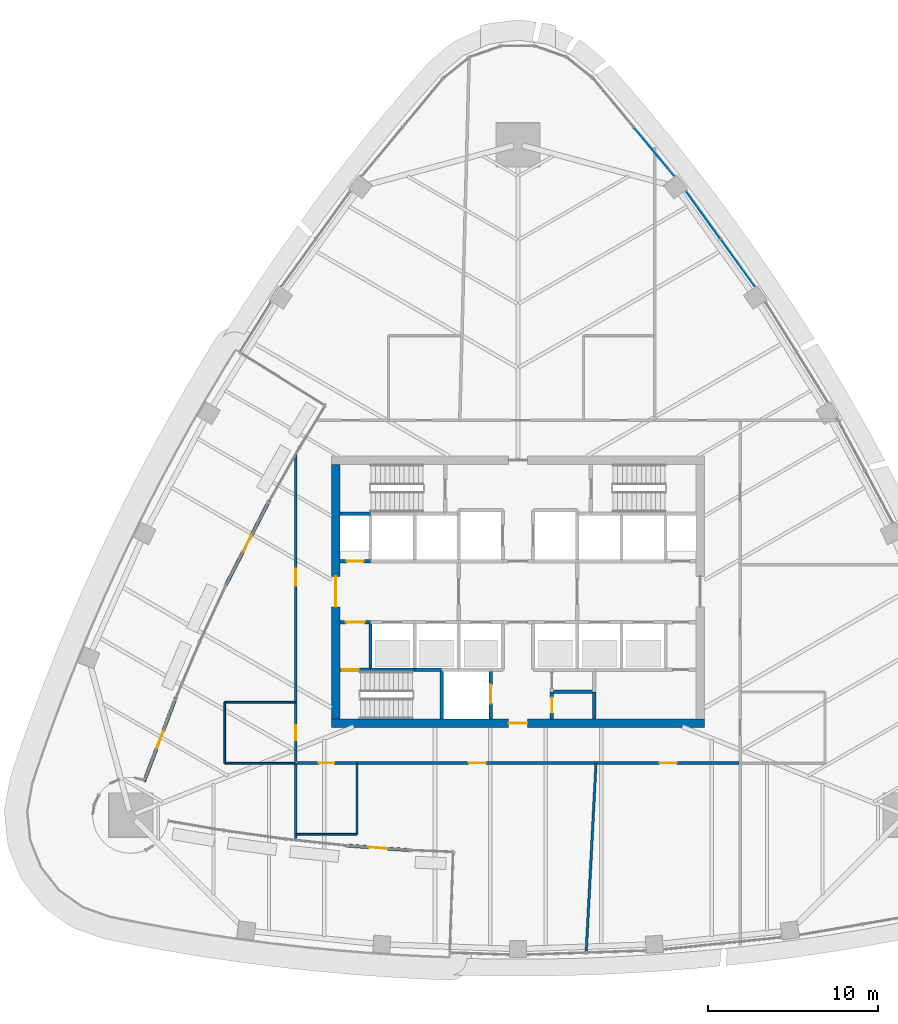
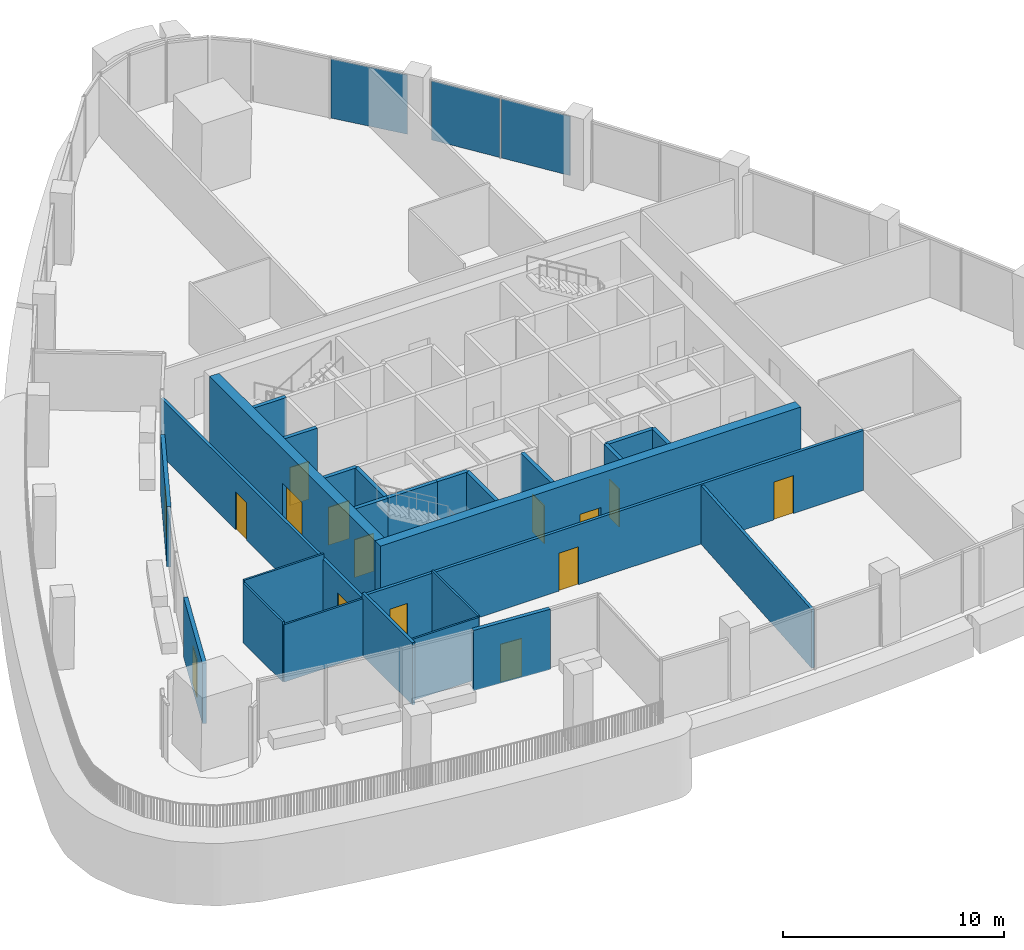
# One storey, part 9 of 18: 26 walls, 15 doors, 3 plates, 15 openings, 2 elements without a shape of their own.
"""IFC4 building model written with IfcOpenShell, lengths in metres."""

import ifcopenshell
import ifcopenshell.guid

model = None  # the IFC model being written
_history = None  # IfcOwnerHistory: only IFC2X3 demands one
_inside = {}  # id of a spatial element -> (the spatial element, [elements in it])
_under = {}  # id of a project, library or spatial element -> (it, [spatial elements below it])
_declared = {}  # id of a project -> (the project, [libraries it declares])
_typed = {}  # id of a type object -> (the type object, [elements of that type])
_made_of = {}  # id of a material, layer set ... -> (it, [elements and type objects made of it])


def new_model(schema):
    """Start an empty IFC model of exactly this schema.

    Asked for "IFC4X3", IfcOpenShell would pick the latest addendum, in which some entities
    have other attributes; the version numbers below select the first issue.
    IFC2X3 requires an IfcOwnerHistory on every rooted entity: one is made here for all.
    """
    global model, _history
    if schema == "IFC4X3":
        model = ifcopenshell.file(schema_version=(4, 3, 0, 0))
    else:
        model = ifcopenshell.file(schema=schema)
    _inside.clear()
    _under.clear()
    _declared.clear()
    _typed.clear()
    _made_of.clear()
    _history = None
    if model.schema == "IFC2X3":
        org = make("IfcOrganization", Name="unknown")
        user = make(
            "IfcPersonAndOrganization",
            ThePerson=make("IfcPerson", FamilyName="unknown"),
            TheOrganization=org,
        )
        app = make(
            "IfcApplication",
            ApplicationDeveloper=org,
            Version="unknown",
            ApplicationFullName="unknown",
            ApplicationIdentifier="unknown",
        )
        _history = make(
            "IfcOwnerHistory",
            OwningUser=user,
            OwningApplication=app,
            ChangeAction="ADDED",
            CreationDate=0,
        )
    return model


def make(cls, **values):
    """One entity of the class cls with the attributes given. An attribute that is None is left unset."""
    return model.create_entity(
        cls, **{name: value for name, value in values.items() if value is not None}
    )


def rooted(cls, **values):
    """An entity with a GlobalId (a new one), such as an element, a storey or a relation."""
    return make(cls, GlobalId=ifcopenshell.guid.new(), OwnerHistory=_history, **values)


def si_unit(unit_type, name, prefix=None):
    """IfcSIUnit, for example si_unit("LENGTHUNIT", "METRE", prefix="MILLI")."""
    return make("IfcSIUnit", UnitType=unit_type, Prefix=prefix, Name=name)


def assignment(units):
    """IfcUnitAssignment: the units of a project."""
    return None if units is None else make("IfcUnitAssignment", Units=units)


def point(xyz):
    """IfcCartesianPoint."""
    return None if xyz is None else make("IfcCartesianPoint", Coordinates=xyz)


def direction(xyz):
    """IfcDirection."""
    return None if xyz is None else make("IfcDirection", DirectionRatios=xyz)


def frame(location, z_axis=None, x_axis=None):
    """IfcAxis2Placement3D, a coordinate frame: its origin and axes. An axis left out is left unset."""
    return make(
        "IfcAxis2Placement3D",
        Location=point(location),
        Axis=direction(z_axis),
        RefDirection=direction(x_axis),
    )


def frame_2d(location, x_axis=None):
    """IfcAxis2Placement2D, a coordinate frame in the plane: its origin and x axis."""
    return make(
        "IfcAxis2Placement2D", Location=point(location), RefDirection=direction(x_axis)
    )


def origin():
    """The frame at (0, 0, 0) with its axes left unset."""
    return frame((0.0, 0.0, 0.0))


def origin_2d():
    """The frame at (0, 0) in the plane with its x axis left unset."""
    return frame_2d((0.0, 0.0))


def place(relative_to, where):
    """IfcLocalPlacement: puts the frame where relative to a parent placement (None: the world)."""
    return make(
        "IfcLocalPlacement", PlacementRelTo=relative_to, RelativePlacement=where
    )


def context(
    kind, dimensions, precision=None, world=None, true_north=None, identifier=None
):
    """IfcGeometricRepresentationContext, for example the 3D "Model" context."""
    return make(
        "IfcGeometricRepresentationContext",
        ContextIdentifier=identifier,
        ContextType=kind,
        CoordinateSpaceDimension=dimensions,
        Precision=precision,
        WorldCoordinateSystem=world,
        TrueNorth=true_north,
    )


def subcontext(parent, identifier, kind, view, scale=None):
    """IfcGeometricRepresentationSubContext, for example "Body" below "Model"."""
    return make(
        "IfcGeometricRepresentationSubContext",
        ContextIdentifier=identifier,
        ContextType=kind,
        ParentContext=parent,
        TargetScale=scale,
        TargetView=view,
    )


def project(units=None, contexts=None):
    """IfcProject with its units and contexts."""
    return rooted(
        "IfcProject",
        Name="project",
        RepresentationContexts=contexts,
        UnitsInContext=assignment(units),
    )


def spatial(cls, under=None, at=None, **own):
    """A site, building, storey or space (cls), placed at a placement, below another one or the project."""
    s = rooted(cls, ObjectPlacement=at, **own)
    if under is not None:
        _under.setdefault(under.id(), (under, []))[1].append(s)
    return s


def profile(cls, at=None, kind="AREA", **sizes):
    """A parametric profile (cls). Its sizes go by their IFC names, for example OverallWidth=200.0."""
    return make(cls, ProfileType=kind, Position=at, **sizes)


def rectangle(**sizes):
    """IfcRectangleProfileDef."""
    return profile("IfcRectangleProfileDef", **sizes)


def extrude(swept, where, along, depth):
    """IfcExtrudedAreaSolid: the profile swept, set in the frame where, extruded along a direction by depth."""
    return make(
        "IfcExtrudedAreaSolid",
        SweptArea=swept,
        Position=where,
        ExtrudedDirection=direction(along),
        Depth=depth,
    )


def shape(context_of_items, identifier, shape_type, items):
    """IfcShapeRepresentation: the items that make up one representation, for example the "Body"."""
    return make(
        "IfcShapeRepresentation",
        ContextOfItems=context_of_items,
        RepresentationIdentifier=identifier,
        RepresentationType=shape_type,
        Items=items,
    )


def material(Name=None, Category=None):
    """IfcMaterial."""
    return make("IfcMaterial", Name=Name, Category=Category)


def layer(
    of_material, thickness, ventilated=None, Name=None, Category=None, Priority=None
):
    """IfcMaterialLayer: one layer of a wall or slab, of a material (None: an air gap)."""
    return make(
        "IfcMaterialLayer",
        Material=of_material,
        LayerThickness=thickness,
        IsVentilated=ventilated,
        Name=Name,
        Category=Category,
        Priority=Priority,
    )


def layer_set(layers, Name=None):
    """IfcMaterialLayerSet."""
    return make("IfcMaterialLayerSet", MaterialLayers=layers, LayerSetName=Name)


def made_of(thing, what):
    """Note that an element or type object is made of a material, layer set ...; save() writes the relation."""
    if what is not None:
        _made_of.setdefault(what.id(), (what, []))[1].append(thing)
    return thing


def type_object(cls, material=None, **own):
    """A type object (cls), such as IfcWallType, which elements share."""
    return made_of(rooted(cls, **own), material)


def element(
    cls,
    number,
    at=None,
    inside=None,
    cuts=None,
    type_object=None,
    material=None,
    context=None,
    identifier="Body",
    shape_type=None,
    held_by="IfcProductDefinitionShape",
    body=None,
    shapes=None,
    **own,
):
    """One element of the class cls, such as IfcWall. Its Tag is "e" and its number.

    at: its placement. inside: the storey or other place that contains it. cuts: it is an
    opening in that element (IfcRelVoidsElement). A single representation is given by context,
    identifier, shape_type and body (its items); several are given by shapes. held_by: the class
    of the entity that holds the representations. save() writes the other relations.
    """
    e = rooted(cls, Tag="e%d" % number, ObjectPlacement=at, **own)
    if body is not None:
        shapes = [shape(context, identifier, shape_type, body)]
    if shapes is not None:
        e.Representation = make(held_by, Representations=shapes)
    if inside is not None:
        _inside.setdefault(inside.id(), (inside, []))[1].append(e)
    if cuts is not None:
        rooted(
            "IfcRelVoidsElement", RelatingBuildingElement=cuts, RelatedOpeningElement=e
        )
    if type_object is not None:
        _typed.setdefault(type_object.id(), (type_object, []))[1].append(e)
    return made_of(e, material)


def fill(opening, filler):
    """IfcRelFillsElement: the door or window that sits in an opening."""
    return rooted(
        "IfcRelFillsElement",
        RelatingOpeningElement=opening,
        RelatedBuildingElement=filler,
    )


def aggregate(whole, parts):
    """IfcRelAggregates: a whole, such as a stair, and the parts it consists of."""
    return rooted("IfcRelAggregates", RelatingObject=whole, RelatedObjects=parts)


def save(model, path):
    """Write the relations noted so far, then the file.

    IfcRelAggregates (storeys below a building ...), IfcRelContainedInSpatialStructure (elements
    in a storey), IfcRelDefinesByType, IfcRelAssociatesMaterial and IfcRelDeclares: one each for
    every whole, place, type object, material and project.
    """
    for whole, parts in _under.values():
        aggregate(whole, parts)
    for where, things in _inside.values():
        rooted(
            "IfcRelContainedInSpatialStructure",
            RelatedElements=things,
            RelatingStructure=where,
        )
    for kind, things in _typed.values():
        rooted("IfcRelDefinesByType", RelatedObjects=things, RelatingType=kind)
    for what, things in _made_of.values():
        rooted("IfcRelAssociatesMaterial", RelatedObjects=things, RelatingMaterial=what)
    for by, libraries in _declared.values():
        rooted("IfcRelDeclares", RelatingContext=by, RelatedDefinitions=libraries)
    model.write(path)


model = new_model("IFC4")

# Units and contexts
model_context = context("Model", 3, precision=1e-05, world=origin(), true_north=direction((0.0, 1.0)))
body_context = subcontext(model_context, "Body", "Model", "MODEL_VIEW")
ifc_project = project(units=[si_unit("LENGTHUNIT", "METRE"), si_unit("AREAUNIT", "SQUARE_METRE"), si_unit("VOLUMEUNIT", "CUBIC_METRE"), si_unit("PLANEANGLEUNIT", "RADIAN"), si_unit("MASSUNIT", "GRAM", prefix="KILO")], contexts=[model_context])

# Site, building, storey
site_placement = place(None, origin())
site = spatial("IfcSite", under=ifc_project, at=site_placement, CompositionType="ELEMENT")
building_placement = place(site_placement, origin())
building = spatial("IfcBuilding", under=site, at=building_placement, Name="Sierra Prisma Convention Tower", CompositionType="ELEMENT")
storey_placement = place(building_placement, frame((0.0, 0.0, 205.800048828125)))
storey = spatial("IfcBuildingStorey", under=building, at=storey_placement, Name="L46", CompositionType="ELEMENT", Elevation=205.800048828125)

# Curtain wall, plates
ifc_material_1 = material(Name="Aluminium and glass curtain wall", Category="aluminium")
ifc_layer_1 = layer(ifc_material_1, 0.179931640625)
ifc_layer_set_1 = layer_set([ifc_layer_1], Name="CW-1 Plain shaft curtain wall")
curtain_wall_type = type_object("IfcCurtainWallType", Name="CW-1 Plain shaft curtain wall", PredefinedType="NOTDEFINED", material=ifc_layer_set_1)
curtain_wall_1_placement = place(storey_placement, origin())
curtain_wall_1 = element("IfcCurtainWall", 1, at=curtain_wall_1_placement, inside=storey, type_object=curtain_wall_type, Name="CW-1 NE5 L46", PredefinedType="NOTDEFINED")
ifc_material_2 = material(Name="Tinted glass bronze-grey IGU", Category="glass")
ifc_layer_2 = layer(ifc_material_2, 0.028076171875)
ifc_layer_set_2 = layer_set([ifc_layer_2], Name="CW-1 glass panel")
plate_type = type_object("IfcPlateType", Name="CW-1 glass panel", PredefinedType="CURTAIN_PANEL", material=ifc_layer_set_2)
plate_1_placement = place(storey_placement, frame((12.950927734375, 19.40087890625, 0.0), z_axis=(0.0, 0.0, 1.0), x_axis=(-0.585459833404, 0.810701414499, 0.0)))
plate_1 = element("IfcPlate", 2, at=plate_1_placement, type_object=plate_type, Name="CW-1 panel NE5.1", PredefinedType="CURTAIN_PANEL", context=body_context, shape_type="SweptSolid", body=[
    extrude(rectangle(XDim=3.407958984375, YDim=0.028076171875, at=origin_2d()), origin(), (0.0, 0.0, 1.0), 3.280029296875),
])
plate_2_placement = place(storey_placement, frame((10.914794921875, 22.220458984375, 0.0), z_axis=(0.0, 0.0, 1.0), x_axis=(-0.585459833404, 0.810701414499, 0.0)))
plate_2 = element("IfcPlate", 3, at=plate_2_placement, type_object=plate_type, Name="CW-1 panel NE5.2", PredefinedType="CURTAIN_PANEL", context=body_context, shape_type="SweptSolid", body=[
    extrude(rectangle(XDim=3.407958984375, YDim=0.028076171875, at=origin_2d()), origin(), (0.0, 0.0, 1.0), 3.280029296875),
])
aggregate(curtain_wall_1, [plate_1, plate_2])

# Curtain wall, plate
curtain_wall_2_placement = place(storey_placement, origin())
curtain_wall_2 = element("IfcCurtainWall", 4, at=curtain_wall_2_placement, inside=storey, type_object=curtain_wall_type, Name="CW-1 NE6 L46", PredefinedType="NOTDEFINED")
plate_3_placement = place(storey_placement, frame((8.0185546875, 25.951904296875, 0.0), z_axis=(0.0, 0.0, 1.0), x_axis=(-0.639114249263, 0.76911181007, 0.0)))
plate_3 = element("IfcPlate", 5, at=plate_3_placement, type_object=plate_type, Name="CW-1 panel NE6.1", PredefinedType="CURTAIN_PANEL", context=body_context, shape_type="SweptSolid", body=[
    extrude(rectangle(XDim=3.67919921875, YDim=0.028076171875, at=origin_2d()), origin(), (0.0, 0.0, 1.0), 3.280029296875),
])
aggregate(curtain_wall_2, [plate_3])

# Walls
ifc_material_3 = material(Name="Gypsum board partition", Category="gypsum")
ifc_layer_3 = layer(ifc_material_3, 0.10009765625)
ifc_layer_set_3 = layer_set([ifc_layer_3], Name="Bathroom partition 100")
wall_type_1 = type_object("IfcWallType", Name="Bathroom partition 100", PredefinedType="PARTITIONING", material=ifc_layer_set_3)
wall_1_placement = place(storey_placement, frame((-13.1298828125, -10.1201171875, 0.0), z_axis=(0.0, 0.0, 1.0), x_axis=(-1.0, 0.0, 0.0)))
element("IfcWall", 6, at=wall_1_placement, inside=storey, type_object=wall_type_1, Name="Partition L46 bath 1", PredefinedType="PARTITIONING", context=body_context, shape_type="SweptSolid", body=[
    extrude(rectangle(XDim=4.170166015625, YDim=0.10009765625, at=frame_2d((2.0849609375, 0.0))), origin(), (0.0, 0.0, 1.0), 3.166015625),
])
wall_2_placement = place(storey_placement, frame((-17.300048828125, -10.1201171875, 0.0), z_axis=(0.0, 0.0, 1.0), x_axis=(0.0, 1.0, 0.0)))
element("IfcWall", 7, at=wall_2_placement, inside=storey, type_object=wall_type_1, Name="Partition L46 bath 2", PredefinedType="PARTITIONING", context=body_context, shape_type="SweptSolid", body=[
    extrude(rectangle(XDim=3.60009765625, YDim=0.10009765625, at=frame_2d((1.800048828125, 0.0))), origin(), (0.0, 0.0, 1.0), 3.31689453125),
])
for number, where, z_axis, x_axis, name in (
    (8, (-17.300048828125, -6.52001953125, 0.0), (0.0, 0.0, 1.0), (1.0, 0.0, 0.0), "Partition L46 bath 3"),
    (9, (-9.5, -10.1298828125, 0.0), (0.0, 0.0, 1.0), (0.0, -1.0, 0.0), "Partition L46 bath 4"),
):
    element("IfcWall", number, at=place(storey_placement, frame(where, z_axis=z_axis, x_axis=x_axis)), inside=storey, type_object=wall_type_1, Name=name, PredefinedType="PARTITIONING", context=body_context, shape_type="SweptSolid", body=[
        extrude(rectangle(XDim=4.170166015625, YDim=0.10009765625, at=frame_2d((2.0849609375, 0.0))), origin(), (0.0, 0.0, 1.0), 3.449951171875),
    ])
wall_3_placement = place(storey_placement, frame((-9.5, -14.300048828125, 0.0), z_axis=(0.0, 0.0, 1.0), x_axis=(-1.0, 0.0, 0.0)))
element("IfcWall", 10, at=wall_3_placement, inside=storey, type_object=wall_type_1, Name="Partition L46 bath 5", PredefinedType="PARTITIONING", context=body_context, shape_type="SweptSolid", body=[
    extrude(rectangle(XDim=3.570068359375, YDim=0.10009765625, at=frame_2d((1.78515625, 0.0))), origin(), (0.0, 0.0, 1.0), 3.39306640625),
])

# Wall, opening, door
ifc_material_4 = material(Name="Concrete C30/37", Category="concrete")
ifc_layer_4 = layer(ifc_material_4, 0.199951171875)
ifc_layer_set_4 = layer_set([ifc_layer_4], Name="Core wall RC 200 C30/37")
wall_type_2 = type_object("IfcWallType", Name="Core wall RC 200 C30/37", PredefinedType="SOLIDWALL", material=ifc_layer_set_4)
wall_4_placement = place(storey_placement, frame((-10.5, -4.60009765625, 0.0), z_axis=(0.0, 0.0, 1.0), x_axis=(1.0, 0.0, 0.0)))
wall_4 = element("IfcWall", 11, at=wall_4_placement, inside=storey, type_object=wall_type_2, Name="Core wall L46 1", PredefinedType="SOLIDWALL", context=body_context, shape_type="SweptSolid", body=[
    extrude(rectangle(XDim=1.800048828125, YDim=0.199951171875, at=frame_2d((0.89990234375, 0.0))), origin(), (0.0, 0.0, 1.0), 3.849853515625),
])
opening_1_placement = place(wall_4_placement, frame((0.10009765625, 0.0, 0.0)))
opening_1 = element("IfcOpeningElement", 12, at=opening_1_placement, cuts=wall_4, Name="Opening L46-D020", PredefinedType="OPENING", context=body_context, shape_type="SweptSolid", body=[
    extrude(rectangle(XDim=1.0, YDim=2.10009765625, at=frame_2d((0.5, 1.050048828125))), frame((0.0, 0.10009765625, 0.0), z_axis=(0.0, -1.0, 0.0), x_axis=(1.0, 0.0, 0.0)), (0.0, 0.0, 1.0), 0.199951171875),
])
ifc_material_5 = material(Name="Steel fire door leaf", Category="steel")
door_type_1 = type_object("IfcDoorType", Name="Door 1000x2100 FD90S", OperationType="SINGLE_SWING_LEFT", PredefinedType="DOOR", material=ifc_material_5)
door_1_placement = place(opening_1_placement, origin())
door_1 = element("IfcDoor", 13, at=door_1_placement, inside=storey, type_object=door_type_1, Name="Door L46 30", OperationType="SINGLE_SWING_LEFT", OverallHeight=2.10009765625, OverallWidth=1.0, PredefinedType="DOOR", context=body_context, shape_type="SweptSolid", body=[
    extrude(rectangle(XDim=1.0, YDim=2.10009765625, at=frame_2d((0.5, 1.050048828125))), frame((0.0, 0.02490234375, 0.0), z_axis=(0.0, -1.0, 0.0), x_axis=(1.0, 0.0, 0.0)), (0.0, 0.0, 1.0), 0.050048828125),
])
fill(opening_1, door_1)

wall_5_placement = place(storey_placement, frame((-10.5, -1.800048828125, 0.0), z_axis=(0.0, 0.0, 1.0), x_axis=(1.0, 0.0, 0.0)))
wall_5 = element("IfcWall", 14, at=wall_5_placement, inside=storey, type_object=wall_type_2, Name="Core wall L46 2", PredefinedType="SOLIDWALL", context=body_context, shape_type="SweptSolid", body=[
    extrude(rectangle(XDim=1.800048828125, YDim=0.199951171875, at=frame_2d((0.89990234375, 0.0))), origin(), (0.0, 0.0, 1.0), 3.849853515625),
])
opening_2_placement = place(wall_5_placement, frame((0.35009765625, 0.0, 0.0)))
opening_2 = element("IfcOpeningElement", 15, at=opening_2_placement, cuts=wall_5, Name="Opening L46-D015", PredefinedType="OPENING", context=body_context, shape_type="SweptSolid", body=[
    extrude(rectangle(XDim=1.10009765625, YDim=2.10009765625, at=frame_2d((0.550048828125, 1.050048828125))), frame((0.0, 0.10009765625, 0.0), z_axis=(0.0, -1.0, 0.0), x_axis=(1.0, 0.0, 0.0)), (0.0, 0.0, 1.0), 0.199951171875),
])
ifc_material_6 = material(Name="Steel fire door leaf", Category="steel")
door_type_2 = type_object("IfcDoorType", Name="Door 1100x2100 FD90S", OperationType="SINGLE_SWING_LEFT", PredefinedType="DOOR", material=ifc_material_6)
door_2_placement = place(opening_2_placement, origin())
door_2 = element("IfcDoor", 16, at=door_2_placement, inside=storey, type_object=door_type_2, Name="Door L46 25", OperationType="SINGLE_SWING_RIGHT", OverallHeight=2.10009765625, OverallWidth=1.10009765625, PredefinedType="DOOR", context=body_context, shape_type="SweptSolid", body=[
    extrude(rectangle(XDim=1.10009765625, YDim=2.10009765625, at=frame_2d((0.550048828125, 1.050048828125))), frame((0.0, 0.02490234375, 0.0), z_axis=(0.0, -1.0, 0.0), x_axis=(1.0, 0.0, 0.0)), (0.0, 0.0, 1.0), 0.050048828125),
])
fill(opening_2, door_2)

wall_6_placement = place(storey_placement, frame((-8.699951171875, 1.800048828125, 0.0), z_axis=(0.0, 0.0, 1.0), x_axis=(-1.0, 0.0, 0.0)))
wall_6 = element("IfcWall", 17, at=wall_6_placement, inside=storey, type_object=wall_type_2, Name="Core wall L46 3", PredefinedType="SOLIDWALL", context=body_context, shape_type="SweptSolid", body=[
    extrude(rectangle(XDim=1.800048828125, YDim=0.199951171875, at=frame_2d((0.89990234375, 0.0))), origin(), (0.0, 0.0, 1.0), 3.849853515625),
])
opening_3_placement = place(wall_6_placement, frame((0.39990234375, 0.0, 0.0)))
opening_3 = element("IfcOpeningElement", 18, at=opening_3_placement, cuts=wall_6, Name="Opening L46-D018", PredefinedType="OPENING", context=body_context, shape_type="SweptSolid", body=[
    extrude(rectangle(XDim=1.0, YDim=2.10009765625, at=frame_2d((0.5, 1.050048828125))), frame((0.0, 0.10009765625, 0.0), z_axis=(0.0, -1.0, 0.0), x_axis=(1.0, 0.0, 0.0)), (0.0, 0.0, 1.0), 0.199951171875),
])
ifc_material_7 = material(Name="Steel fire door leaf", Category="steel")
door_type_3 = type_object("IfcDoorType", Name="Door 1000x2100 FD60S", OperationType="SINGLE_SWING_LEFT", PredefinedType="DOOR", material=ifc_material_7)
door_3_placement = place(opening_3_placement, origin())
door_3 = element("IfcDoor", 19, at=door_3_placement, inside=storey, type_object=door_type_3, Name="Door L46 28", OperationType="SINGLE_SWING_RIGHT", OverallHeight=2.10009765625, OverallWidth=1.0, PredefinedType="DOOR", context=body_context, shape_type="SweptSolid", body=[
    extrude(rectangle(XDim=1.0, YDim=2.10009765625, at=frame_2d((0.5, 1.050048828125))), frame((0.0, 0.02490234375, 0.0), z_axis=(0.0, -1.0, 0.0), x_axis=(1.0, 0.0, 0.0)), (0.0, 0.0, 1.0), 0.050048828125),
])
fill(opening_3, door_3)

# Walls
wall_7_placement = place(storey_placement, frame((-8.699951171875, 4.60009765625, 0.0), z_axis=(0.0, 0.0, 1.0), x_axis=(-1.0, 0.0, 0.0)))
element("IfcWall", 20, at=wall_7_placement, inside=storey, type_object=wall_type_2, Name="Core wall L46 4", PredefinedType="SOLIDWALL", context=body_context, shape_type="SweptSolid", body=[
    extrude(rectangle(XDim=1.800048828125, YDim=0.199951171875, at=frame_2d((0.89990234375, 0.0))), origin(), (0.0, 0.0, 1.0), 3.849853515625),
])
wall_8_placement = place(storey_placement, frame((-8.699951171875, -4.60009765625, 0.0), z_axis=(0.0, 0.0, 1.0), x_axis=(1.0, 0.0, 0.0)))
element("IfcWall", 21, at=wall_8_placement, inside=storey, type_object=wall_type_2, Name="Core wall L46 5", PredefinedType="SOLIDWALL", context=body_context, shape_type="SweptSolid", body=[
    extrude(rectangle(XDim=2.599853515625, YDim=0.199951171875, at=frame_2d((1.2998046875, 0.0))), origin(), (0.0, 0.0, 1.0), 3.849853515625),
])
wall_9_placement = place(storey_placement, frame((-8.699951171875, -4.60009765625, 0.0), z_axis=(0.0, 0.0, 1.0), x_axis=(0.0, 1.0, 0.0)))
element("IfcWall", 22, at=wall_9_placement, inside=storey, type_object=wall_type_2, Name="Core wall L46 6", PredefinedType="SOLIDWALL", context=body_context, shape_type="SweptSolid", body=[
    extrude(rectangle(XDim=2.800048828125, YDim=0.199951171875, at=frame_2d((1.39990234375, 0.0))), origin(), (0.0, 0.0, 1.0), 3.849853515625),
])
wall_10_placement = place(storey_placement, frame((-6.10009765625, -4.60009765625, 0.0), z_axis=(0.0, 0.0, 1.0), x_axis=(1.0, 0.0, 0.0)))
element("IfcWall", 23, at=wall_10_placement, inside=storey, type_object=wall_type_2, Name="Core wall L46 11", PredefinedType="SOLIDWALL", context=body_context, shape_type="SweptSolid", body=[
    extrude(rectangle(XDim=1.60009765625, YDim=0.199951171875, at=frame_2d((0.800048828125, 0.0))), origin(), (0.0, 0.0, 1.0), 3.849853515625),
])
wall_11_placement = place(storey_placement, frame((-4.5, -4.60009765625, 0.0), z_axis=(0.0, 0.0, 1.0), x_axis=(0.0, -1.0, 0.0)))
element("IfcWall", 24, at=wall_11_placement, inside=storey, type_object=wall_type_2, Name="Core wall L46 17", PredefinedType="SOLIDWALL", context=body_context, shape_type="SweptSolid", body=[
    extrude(rectangle(XDim=2.89990234375, YDim=0.199951171875, at=frame_2d((1.449951171875, 0.0))), origin(), (0.0, 0.0, 1.0), 3.849853515625),
])

# Wall, opening, door
wall_12_placement = place(storey_placement, frame((-1.60009765625, -7.5, 0.0), z_axis=(0.0, 0.0, 1.0), x_axis=(0.0, 1.0, 0.0)))
wall_12 = element("IfcWall", 25, at=wall_12_placement, inside=storey, type_object=wall_type_2, Name="Core wall L46 30", PredefinedType="SOLIDWALL", context=body_context, shape_type="SweptSolid", body=[
    extrude(rectangle(XDim=2.89990234375, YDim=0.199951171875, at=frame_2d((1.449951171875, 0.0))), origin(), (0.0, 0.0, 1.0), 3.849853515625),
])
opening_4_placement = place(wall_12_placement, frame((0.89990234375, 0.0, 0.0)))
opening_4 = element("IfcOpeningElement", 26, at=opening_4_placement, cuts=wall_12, Name="Opening L46-D012", PredefinedType="OPENING", context=body_context, shape_type="SweptSolid", body=[
    extrude(rectangle(XDim=1.10009765625, YDim=2.10009765625, at=frame_2d((0.550048828125, 1.050048828125))), frame((0.0, 0.10009765625, 0.0), z_axis=(0.0, -1.0, 0.0), x_axis=(1.0, 0.0, 0.0)), (0.0, 0.0, 1.0), 0.199951171875),
])
ifc_material_8 = material(Name="Steel fire door leaf", Category="steel")
door_type_4 = type_object("IfcDoorType", Name="Door 1100x2100 EI 90 sliding lift landing", OperationType="SLIDING_TO_LEFT", PredefinedType="DOOR", material=ifc_material_8)
door_4_placement = place(opening_4_placement, origin())
door_4 = element("IfcDoor", 27, at=door_4_placement, inside=storey, type_object=door_type_4, Name="Door L46 22", OperationType="SLIDING_TO_LEFT", OverallHeight=2.10009765625, OverallWidth=1.10009765625, PredefinedType="DOOR", context=body_context, shape_type="SweptSolid", body=[
    extrude(rectangle(XDim=1.10009765625, YDim=2.10009765625, at=frame_2d((0.550048828125, 1.050048828125))), frame((0.0, 0.02490234375, 0.0), z_axis=(0.0, -1.0, 0.0), x_axis=(1.0, 0.0, 0.0)), (0.0, 0.0, 1.0), 0.050048828125),
])
fill(opening_4, door_4)

wall_13_placement = place(storey_placement, frame((2.0, -5.89990234375, 0.0), z_axis=(0.0, 0.0, 1.0), x_axis=(0.0, -1.0, 0.0)))
wall_13 = element("IfcWall", 28, at=wall_13_placement, inside=storey, type_object=wall_type_2, Name="Core wall L46 42", PredefinedType="SOLIDWALL", context=body_context, shape_type="SweptSolid", body=[
    extrude(rectangle(XDim=1.60009765625, YDim=0.199951171875, at=frame_2d((0.800048828125, 0.0))), origin(), (0.0, 0.0, 1.0), 3.849853515625),
])
opening_5_placement = place(wall_13_placement, frame((0.35009765625, 0.0, 0.0)))
opening_5 = element("IfcOpeningElement", 29, at=opening_5_placement, cuts=wall_13, Name="Opening L46-D025", PredefinedType="OPENING", context=body_context, shape_type="SweptSolid", body=[
    extrude(rectangle(XDim=0.89990234375, YDim=2.10009765625, at=frame_2d((0.449951171875, 1.050048828125))), frame((0.0, 0.10009765625, 0.0), z_axis=(0.0, -1.0, 0.0), x_axis=(1.0, 0.0, 0.0)), (0.0, 0.0, 1.0), 0.199951171875),
])
ifc_material_9 = material(Name="Steel fire door leaf", Category="steel")
door_type_5 = type_object("IfcDoorType", Name="Door 900x2100 FD30S", OperationType="SINGLE_SWING_LEFT", PredefinedType="DOOR", material=ifc_material_9)
door_5_placement = place(opening_5_placement, origin())
door_5 = element("IfcDoor", 30, at=door_5_placement, inside=storey, type_object=door_type_5, Name="Door L46 35", OperationType="SINGLE_SWING_LEFT", OverallHeight=2.10009765625, OverallWidth=0.89990234375, PredefinedType="DOOR", context=body_context, shape_type="SweptSolid", body=[
    extrude(rectangle(XDim=0.89990234375, YDim=2.10009765625, at=frame_2d((0.449951171875, 1.050048828125))), frame((0.0, 0.02490234375, 0.0), z_axis=(0.0, -1.0, 0.0), x_axis=(1.0, 0.0, 0.0)), (0.0, 0.0, 1.0), 0.050048828125),
])
fill(opening_5, door_5)

# Walls
wall_14_placement = place(storey_placement, frame((4.5, -5.89990234375, 0.0), z_axis=(0.0, 0.0, 1.0), x_axis=(-1.0, 0.0, 0.0)))
element("IfcWall", 31, at=wall_14_placement, inside=storey, type_object=wall_type_2, Name="Core wall L46 43", PredefinedType="SOLIDWALL", context=body_context, shape_type="SweptSolid", body=[
    extrude(rectangle(XDim=2.5, YDim=0.199951171875, at=frame_2d((1.25, 0.0))), origin(), (0.0, 0.0, 1.0), 3.849853515625),
])
wall_15_placement = place(storey_placement, frame((4.5, -5.89990234375, 0.0), z_axis=(0.0, 0.0, 1.0), x_axis=(0.0, -1.0, 0.0)))
element("IfcWall", 32, at=wall_15_placement, inside=storey, type_object=wall_type_2, Name="Core wall L46 55", PredefinedType="SOLIDWALL", context=body_context, shape_type="SweptSolid", body=[
    extrude(rectangle(XDim=1.60009765625, YDim=0.199951171875, at=frame_2d((0.800048828125, 0.0))), origin(), (0.0, 0.0, 1.0), 3.849853515625),
])

# Wall, opening, door
ifc_material_10 = material(Name="Concrete C60/75", Category="concrete")
ifc_layer_5 = layer(ifc_material_10, 0.5)
ifc_layer_set_5 = layer_set([ifc_layer_5], Name="Core wall RC 500 C60/75")
wall_type_3 = type_object("IfcWallType", Name="Core wall RC 500 C60/75", PredefinedType="SHEAR", material=ifc_layer_set_5)
wall_16_placement = place(storey_placement, frame((-11.0, -7.75, 0.0), z_axis=(0.0, 0.0, 1.0), x_axis=(1.0, 0.0, 0.0)))
wall_16 = element("IfcWall", 33, at=wall_16_placement, inside=storey, type_object=wall_type_3, Name="Core wall S L46", PredefinedType="SHEAR", context=body_context, shape_type="SweptSolid", body=[
    extrude(rectangle(XDim=22.0, YDim=0.5, at=frame_2d((11.0, 0.0))), origin(), (0.0, 0.0, 1.0), 4.0),
])
opening_6_placement = place(wall_16_placement, frame((10.449951171875, 0.0, 0.0)))
opening_6 = element("IfcOpeningElement", 34, at=opening_6_placement, cuts=wall_16, Name="Opening L46-D042", PredefinedType="OPENING", context=body_context, shape_type="SweptSolid", body=[
    extrude(rectangle(XDim=1.10009765625, YDim=2.10009765625, at=frame_2d((0.550048828125, 1.050048828125))), frame((0.0, 0.25, 0.0), z_axis=(0.0, -1.0, 0.0), x_axis=(1.0, 0.0, 0.0)), (0.0, 0.0, 1.0), 0.5),
])
ifc_material_11 = material(Name="Steel fire door leaf", Category="steel")
door_type_6 = type_object("IfcDoorType", Name="Door 1100x2100 FD30S", OperationType="SINGLE_SWING_LEFT", PredefinedType="DOOR", material=ifc_material_11)
door_6_placement = place(opening_6_placement, origin())
door_6 = element("IfcDoor", 35, at=door_6_placement, inside=storey, type_object=door_type_6, Name="Door L46 40", OperationType="SINGLE_SWING_RIGHT", OverallHeight=2.10009765625, OverallWidth=1.10009765625, PredefinedType="DOOR", context=body_context, shape_type="SweptSolid", body=[
    extrude(rectangle(XDim=1.10009765625, YDim=2.10009765625, at=frame_2d((0.550048828125, 1.050048828125))), frame((0.0, 0.02490234375, 0.0), z_axis=(0.0, -1.0, 0.0), x_axis=(1.0, 0.0, 0.0)), (0.0, 0.0, 1.0), 0.050048828125),
])
fill(opening_6, door_6)

wall_17_placement = place(storey_placement, frame((-10.75, -7.5, 0.0), z_axis=(0.0, 0.0, 1.0), x_axis=(0.0, 1.0, 0.0)))
wall_17 = element("IfcWall", 36, at=wall_17_placement, inside=storey, type_object=wall_type_3, Name="Core wall W L46", PredefinedType="SHEAR", context=body_context, shape_type="SweptSolid", body=[
    extrude(rectangle(XDim=15.0, YDim=0.5, at=frame_2d((7.5, 0.0))), origin(), (0.0, 0.0, 1.0), 4.0),
])
opening_7_placement = place(wall_17_placement, frame((6.60009765625, 0.0, 0.0)))
opening_7 = element("IfcOpeningElement", 37, at=opening_7_placement, cuts=wall_17, Name="Opening L46-D043", PredefinedType="OPENING", context=body_context, shape_type="SweptSolid", body=[
    extrude(rectangle(XDim=1.800048828125, YDim=2.10009765625, at=frame_2d((0.89990234375, 1.050048828125))), frame((0.0, 0.25, 0.0), z_axis=(0.0, -1.0, 0.0), x_axis=(1.0, 0.0, 0.0)), (0.0, 0.0, 1.0), 0.5),
])
ifc_material_12 = material(Name="Steel fire door leaf", Category="steel")
door_type_7 = type_object("IfcDoorType", Name="Door 1800x2100 FD60S", OperationType="DOUBLE_DOOR_SINGLE_SWING", PredefinedType="DOOR", material=ifc_material_12)
door_7_placement = place(opening_7_placement, origin())
door_7 = element("IfcDoor", 38, at=door_7_placement, inside=storey, type_object=door_type_7, Name="Door L46 37", OperationType="DOUBLE_DOOR_SINGLE_SWING", OverallHeight=2.10009765625, OverallWidth=1.800048828125, PredefinedType="DOOR", context=body_context, shape_type="SweptSolid", body=[
    extrude(rectangle(XDim=1.800048828125, YDim=2.10009765625, at=frame_2d((0.89990234375, 1.050048828125))), frame((0.0, 0.02490234375, 0.0), z_axis=(0.0, -1.0, 0.0), x_axis=(1.0, 0.0, 0.0)), (0.0, 0.0, 1.0), 0.050048828125),
])
fill(opening_7, door_7)

# Wall, openings, doors
ifc_material_13 = material(Name="Gypsum board partition", Category="gypsum")
ifc_layer_6 = layer(ifc_material_13, 0.14990234375)
ifc_layer_set_6 = layer_set([ifc_layer_6], Name="Corridor wall 150 gypsum EI 60")
wall_type_4 = type_object("IfcWallType", Name="Corridor wall 150 gypsum EI 60", PredefinedType="PARTITIONING", material=ifc_layer_set_6)
wall_18_placement = place(storey_placement, frame((-13.10009765625, 8.14501953125, 0.0), z_axis=(0.0, 0.0, 1.0), x_axis=(0.0, -1.0, 0.0)))
wall_18 = element("IfcWall", 39, at=wall_18_placement, inside=storey, type_object=wall_type_4, Name="Partition L46 corr 1", PredefinedType="PARTITIONING", context=body_context, shape_type="SweptSolid", body=[
    extrude(rectangle(XDim=18.1650390625, YDim=0.14990234375, at=frame_2d((9.08251953125, 0.0))), origin(), (0.0, 0.0, 1.0), 3.166015625),
])
opening_8_placement = place(wall_18_placement, frame((16.01513671875, 0.0, 0.0)))
opening_8 = element("IfcOpeningElement", 40, at=opening_8_placement, cuts=wall_18, Name="Opening L46-D033", PredefinedType="OPENING", context=body_context, shape_type="SweptSolid", body=[
    extrude(rectangle(XDim=0.89990234375, YDim=2.10009765625, at=frame_2d((0.449951171875, 1.050048828125))), frame((0.0, 0.074951171875, 0.0), z_axis=(0.0, -1.0, 0.0), x_axis=(1.0, 0.0, 0.0)), (0.0, 0.0, 1.0), 0.14990234375),
])
opening_9_placement = place(wall_18_placement, frame((6.78271484375, 0.0, 0.0)))
opening_9 = element("IfcOpeningElement", 41, at=opening_9_placement, cuts=wall_18, Name="Opening L46-D034", PredefinedType="OPENING", context=body_context, shape_type="SweptSolid", body=[
    extrude(rectangle(XDim=1.0, YDim=2.10009765625, at=frame_2d((0.5, 1.050048828125))), frame((0.0, 0.074951171875, 0.0), z_axis=(0.0, -1.0, 0.0), x_axis=(1.0, 0.0, 0.0)), (0.0, 0.0, 1.0), 0.14990234375),
])
ifc_material_14 = material(Name="Steel fire door leaf", Category="steel")
door_type_8 = type_object("IfcDoorType", Name="Door 1000x2100 FD30S", OperationType="SINGLE_SWING_LEFT", PredefinedType="DOOR", material=ifc_material_14)
door_8_placement = place(opening_9_placement, origin())
door_8 = element("IfcDoor", 42, at=door_8_placement, inside=storey, type_object=door_type_8, Name="Door L46 8", OperationType="SINGLE_SWING_RIGHT", OverallHeight=2.10009765625, OverallWidth=1.0, PredefinedType="DOOR", context=body_context, shape_type="SweptSolid", body=[
    extrude(rectangle(XDim=1.0, YDim=2.10009765625, at=frame_2d((0.5, 1.050048828125))), frame((0.0, 0.02490234375, 0.0), z_axis=(0.0, -1.0, 0.0), x_axis=(1.0, 0.0, 0.0)), (0.0, 0.0, 1.0), 0.050048828125),
])
fill(opening_9, door_8)
door_9_placement = place(opening_8_placement, origin())
door_9 = element("IfcDoor", 43, at=door_9_placement, inside=storey, type_object=door_type_5, Name="Door L46 7", OperationType="SINGLE_SWING_LEFT", OverallHeight=2.10009765625, OverallWidth=0.89990234375, PredefinedType="DOOR", context=body_context, shape_type="SweptSolid", body=[
    extrude(rectangle(XDim=0.89990234375, YDim=2.10009765625, at=frame_2d((0.449951171875, 1.050048828125))), frame((0.0, 0.02490234375, 0.0), z_axis=(0.0, -1.0, 0.0), x_axis=(1.0, 0.0, 0.0)), (0.0, 0.0, 1.0), 0.050048828125),
])
fill(opening_8, door_9)

wall_19_placement = place(storey_placement, frame((-13.02001953125, -10.10009765625, 0.0), z_axis=(0.0, 0.0, 1.0), x_axis=(1.0, 0.0, 0.0)))
wall_19 = element("IfcWall", 44, at=wall_19_placement, inside=storey, type_object=wall_type_4, Name="Partition L46 corr 2", PredefinedType="PARTITIONING", context=body_context, shape_type="SweptSolid", body=[
    extrude(rectangle(XDim=26.0400390625, YDim=0.14990234375, at=frame_2d((13.02001953125, 0.0))), origin(), (0.0, 0.0, 1.0), 3.31689453125),
])
opening_10_placement = place(wall_19_placement, frame((1.27001953125, 0.0, 0.0)))
opening_10 = element("IfcOpeningElement", 45, at=opening_10_placement, cuts=wall_19, Name="Opening L46-D035", PredefinedType="OPENING", context=body_context, shape_type="SweptSolid", body=[
    extrude(rectangle(XDim=0.89990234375, YDim=2.10009765625, at=frame_2d((0.449951171875, 1.050048828125))), frame((0.0, 0.074951171875, 0.0), z_axis=(0.0, -1.0, 0.0), x_axis=(1.0, 0.0, 0.0)), (0.0, 0.0, 1.0), 0.14990234375),
])
opening_11_placement = place(wall_19_placement, frame((10.1201171875, 0.0, 0.0)))
opening_11 = element("IfcOpeningElement", 46, at=opening_11_placement, cuts=wall_19, Name="Opening L46-D036", PredefinedType="OPENING", context=body_context, shape_type="SweptSolid", body=[
    extrude(rectangle(XDim=1.0, YDim=2.10009765625, at=frame_2d((0.5, 1.050048828125))), frame((0.0, 0.074951171875, 0.0), z_axis=(0.0, -1.0, 0.0), x_axis=(1.0, 0.0, 0.0)), (0.0, 0.0, 1.0), 0.14990234375),
])
opening_12_placement = place(wall_19_placement, frame((21.3701171875, 0.0, 0.0)))
opening_12 = element("IfcOpeningElement", 47, at=opening_12_placement, cuts=wall_19, Name="Opening L46-D037", PredefinedType="OPENING", context=body_context, shape_type="SweptSolid", body=[
    extrude(rectangle(XDim=1.0, YDim=2.10009765625, at=frame_2d((0.5, 1.050048828125))), frame((0.0, 0.074951171875, 0.0), z_axis=(0.0, -1.0, 0.0), x_axis=(1.0, 0.0, 0.0)), (0.0, 0.0, 1.0), 0.14990234375),
])
door_10_placement = place(opening_11_placement, origin())
door_10 = element("IfcDoor", 48, at=door_10_placement, inside=storey, type_object=door_type_8, Name="Door L46 10", OperationType="SINGLE_SWING_RIGHT", OverallHeight=2.10009765625, OverallWidth=1.0, PredefinedType="DOOR", context=body_context, shape_type="SweptSolid", body=[
    extrude(rectangle(XDim=1.0, YDim=2.10009765625, at=frame_2d((0.5, 1.050048828125))), frame((0.0, 0.02490234375, 0.0), z_axis=(0.0, -1.0, 0.0), x_axis=(1.0, 0.0, 0.0)), (0.0, 0.0, 1.0), 0.050048828125),
])
fill(opening_11, door_10)
door_11_placement = place(opening_12_placement, origin())
door_11 = element("IfcDoor", 49, at=door_11_placement, inside=storey, type_object=door_type_8, Name="Door L46 11", OperationType="SINGLE_SWING_RIGHT", OverallHeight=2.10009765625, OverallWidth=1.0, PredefinedType="DOOR", context=body_context, shape_type="SweptSolid", body=[
    extrude(rectangle(XDim=1.0, YDim=2.10009765625, at=frame_2d((0.5, 1.050048828125))), frame((0.0, 0.02490234375, 0.0), z_axis=(0.0, -1.0, 0.0), x_axis=(1.0, 0.0, 0.0)), (0.0, 0.0, 1.0), 0.050048828125),
])
fill(opening_12, door_11)
door_12_placement = place(opening_10_placement, origin())
door_12 = element("IfcDoor", 50, at=door_12_placement, inside=storey, type_object=door_type_5, Name="Door L46 9", OperationType="SINGLE_SWING_RIGHT", OverallHeight=2.10009765625, OverallWidth=0.89990234375, PredefinedType="DOOR", context=body_context, shape_type="SweptSolid", body=[
    extrude(rectangle(XDim=0.89990234375, YDim=2.10009765625, at=frame_2d((0.449951171875, 1.050048828125))), frame((0.0, 0.02490234375, 0.0), z_axis=(0.0, -1.0, 0.0), x_axis=(1.0, 0.0, 0.0)), (0.0, 0.0, 1.0), 0.050048828125),
])
fill(opening_10, door_12)

# Walls
ifc_material_15 = material(Name="Gypsum board partition", Category="gypsum")
ifc_layer_7 = layer(ifc_material_15, 0.14990234375)
ifc_layer_set_7 = layer_set([ifc_layer_7], Name="Party wall 150 gypsum")
wall_type_5 = type_object("IfcWallType", Name="Party wall 150 gypsum", PredefinedType="PARTITIONING", material=ifc_layer_set_7)
wall_20_placement = place(storey_placement, frame((-13.10009765625, -10.10009765625, 0.0), z_axis=(0.0, 0.0, 1.0), x_axis=(0.0, -1.0, 0.0)))
element("IfcWall", 51, at=wall_20_placement, inside=storey, type_object=wall_type_5, Name="Partition L46 party 1", PredefinedType="PARTITIONING", context=body_context, shape_type="SweptSolid", body=[
    extrude(rectangle(XDim=4.5546875, YDim=0.14990234375, at=frame_2d((2.27734375, 0.0))), origin(), (0.0, 0.0, 1.0), 3.449951171875),
])
wall_21_placement = place(storey_placement, frame((4.60009765625, -10.10009765625, 0.0), z_axis=(0.0, 0.0, 1.0), x_axis=(-0.051755313509, -0.998659795688, 0.0)))
element("IfcWall", 52, at=wall_21_placement, inside=storey, type_object=wall_type_5, Name="Partition L46 party 3", PredefinedType="PARTITIONING", context=body_context, shape_type="SweptSolid", body=[
    extrude(rectangle(XDim=11.099609375, YDim=0.14990234375, at=frame_2d((5.5498046875, 0.0))), origin(), (0.0, 0.0, 1.0), 3.23388671875),
])

# Wall, opening, door
ifc_material_16 = material(Name="Precast concrete C40/50", Category="concrete")
ifc_layer_8 = layer(ifc_material_16, 0.199951171875)
ifc_layer_set_8 = layer_set([ifc_layer_8], Name="Terrace door pier")
wall_type_6 = type_object("IfcWallType", Name="Terrace door pier", PredefinedType="SOLIDWALL", material=ifc_layer_set_8)
wall_22_placement = place(storey_placement, frame((-14.6640625, 5.385009765625, 0.0), z_axis=(0.0, 0.0, 1.0), x_axis=(-0.457077813433, -0.889426710003, 0.0)))
wall_22 = element("IfcWall", 53, at=wall_22_placement, inside=storey, type_object=wall_type_6, Name="Terrace door bay L46.3", PredefinedType="SOLIDWALL", context=body_context, shape_type="SweptSolid", body=[
    extrude(rectangle(XDim=5.696533203125, YDim=0.199951171875, at=frame_2d((2.84814453125, 0.0))), origin(), (0.0, 0.0, 1.0), 3.33984375),
])
opening_13_placement = place(wall_22_placement, frame((2.29833984375, 0.0, 0.0)))
opening_13 = element("IfcOpeningElement", 54, at=opening_13_placement, cuts=wall_22, Name="Opening L46-D001", PredefinedType="OPENING", context=body_context, shape_type="SweptSolid", body=[
    extrude(rectangle(XDim=1.10009765625, YDim=2.10009765625, at=frame_2d((0.550048828125, 1.050048828125))), frame((0.0, 0.10009765625, 0.0), z_axis=(0.0, -1.0, 0.0), x_axis=(1.0, 0.0, 0.0)), (0.0, 0.0, 1.0), 0.199951171875),
])
ifc_material_17 = material(Name="Bronze anodised aluminium and glass", Category="aluminium")
door_type_9 = type_object("IfcDoorType", Name="Terrace door 1100 x 2100", OperationType="SINGLE_SWING_LEFT", PredefinedType="DOOR", material=ifc_material_17)
door_13_placement = place(opening_13_placement, origin())
door_13 = element("IfcDoor", 55, at=door_13_placement, inside=storey, type_object=door_type_9, Name="Terrace door L46.3", OperationType="SINGLE_SWING_RIGHT", OverallHeight=2.10009765625, OverallWidth=1.10009765625, PredefinedType="DOOR", context=body_context, shape_type="SweptSolid", body=[
    extrude(rectangle(XDim=1.10009765625, YDim=2.10009765625, at=frame_2d((0.550048828125, 1.050048828125))), frame((0.0, 0.02490234375, 0.0), z_axis=(0.0, -1.0, 0.0), x_axis=(1.0, 0.0, 0.0)), (0.0, 0.0, 1.0), 0.050048828125),
])
fill(opening_13, door_13)

wall_23_placement = place(storey_placement, frame((-20.17822265625, -6.239990234375, 0.0), z_axis=(0.0, 0.0, 1.0), x_axis=(-0.354043410173, -0.935228989988, 0.0)))
wall_23 = element("IfcWall", 56, at=wall_23_placement, inside=storey, type_object=wall_type_6, Name="Terrace door bay L46.6", PredefinedType="SOLIDWALL", context=body_context, shape_type="SweptSolid", body=[
    extrude(rectangle(XDim=5.30224609375, YDim=0.199951171875, at=frame_2d((2.651123046875, 0.0))), origin(), (0.0, 0.0, 1.0), 3.33984375),
])
opening_14_placement = place(wall_23_placement, frame((2.10107421875, 0.0, 0.0)))
opening_14 = element("IfcOpeningElement", 57, at=opening_14_placement, cuts=wall_23, Name="Opening L46-D003", PredefinedType="OPENING", context=body_context, shape_type="SweptSolid", body=[
    extrude(rectangle(XDim=1.10009765625, YDim=2.10009765625, at=frame_2d((0.550048828125, 1.050048828125))), frame((0.0, 0.10009765625, 0.0), z_axis=(0.0, -1.0, 0.0), x_axis=(1.0, 0.0, 0.0)), (0.0, 0.0, 1.0), 0.199951171875),
])
door_14_placement = place(opening_14_placement, origin())
door_14 = element("IfcDoor", 58, at=door_14_placement, inside=storey, type_object=door_type_9, Name="Terrace door L46.6", OperationType="SINGLE_SWING_RIGHT", OverallHeight=2.10009765625, OverallWidth=1.10009765625, PredefinedType="DOOR", context=body_context, shape_type="SweptSolid", body=[
    extrude(rectangle(XDim=1.10009765625, YDim=2.10009765625, at=frame_2d((0.550048828125, 1.050048828125))), frame((0.0, 0.02490234375, 0.0), z_axis=(0.0, -1.0, 0.0), x_axis=(1.0, 0.0, 0.0)), (0.0, 0.0, 1.0), 0.050048828125),
])
fill(opening_14, door_14)

wall_24_placement = place(storey_placement, frame((-10.19091796875, -14.961669921875, 0.0), z_axis=(0.0, 0.0, 1.0), x_axis=(0.997311095397, -0.073284234309, 0.0)))
wall_24 = element("IfcWall", 59, at=wall_24_placement, inside=storey, type_object=wall_type_6, Name="Terrace door bay L46.33", PredefinedType="SOLIDWALL", context=body_context, shape_type="SweptSolid", body=[
    extrude(rectangle(XDim=3.857666015625, YDim=0.199951171875, at=frame_2d((1.9287109375, 0.0))), origin(), (0.0, 0.0, 1.0), 3.33984375),
])
opening_15_placement = place(wall_24_placement, frame((1.37890625, 0.0, 0.0)))
opening_15 = element("IfcOpeningElement", 60, at=opening_15_placement, cuts=wall_24, Name="Opening L46-D002", PredefinedType="OPENING", context=body_context, shape_type="SweptSolid", body=[
    extrude(rectangle(XDim=1.10009765625, YDim=2.10009765625, at=frame_2d((0.550048828125, 1.050048828125))), frame((0.0, 0.10009765625, 0.0), z_axis=(0.0, -1.0, 0.0), x_axis=(1.0, 0.0, 0.0)), (0.0, 0.0, 1.0), 0.199951171875),
])
door_15_placement = place(opening_15_placement, origin())
door_15 = element("IfcDoor", 61, at=door_15_placement, inside=storey, type_object=door_type_9, Name="Terrace door L46.33", OperationType="SINGLE_SWING_LEFT", OverallHeight=2.10009765625, OverallWidth=1.10009765625, PredefinedType="DOOR", context=body_context, shape_type="SweptSolid", body=[
    extrude(rectangle(XDim=1.10009765625, YDim=2.10009765625, at=frame_2d((0.550048828125, 1.050048828125))), frame((0.0, 0.02490234375, 0.0), z_axis=(0.0, -1.0, 0.0), x_axis=(1.0, 0.0, 0.0)), (0.0, 0.0, 1.0), 0.050048828125),
])
fill(opening_15, door_15)

save(model, "model.ifc")
